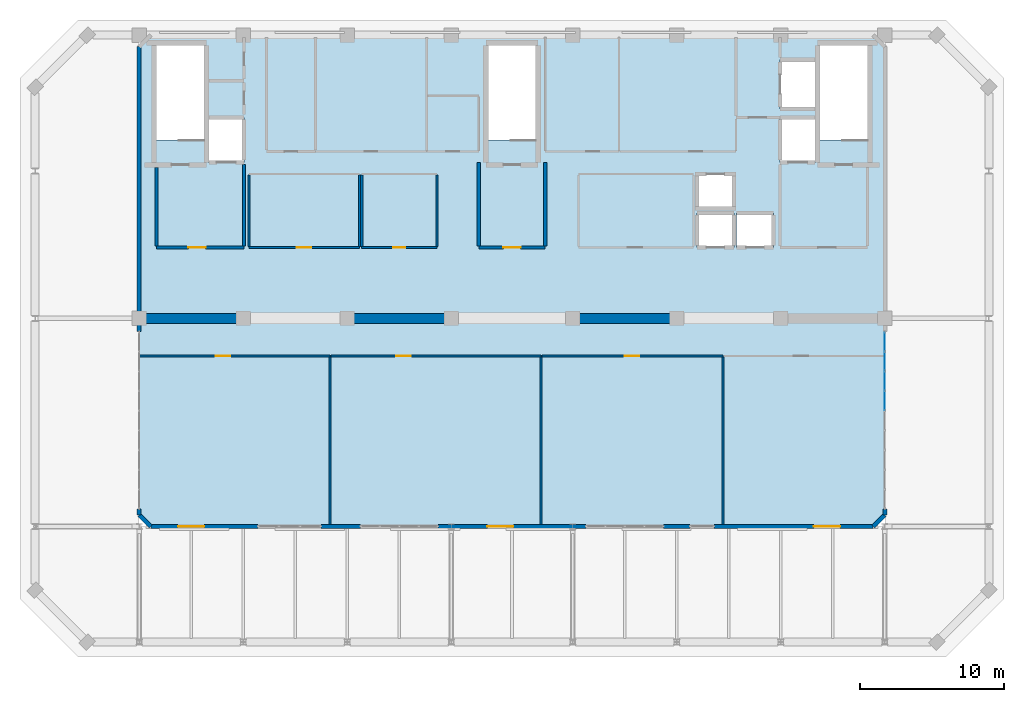
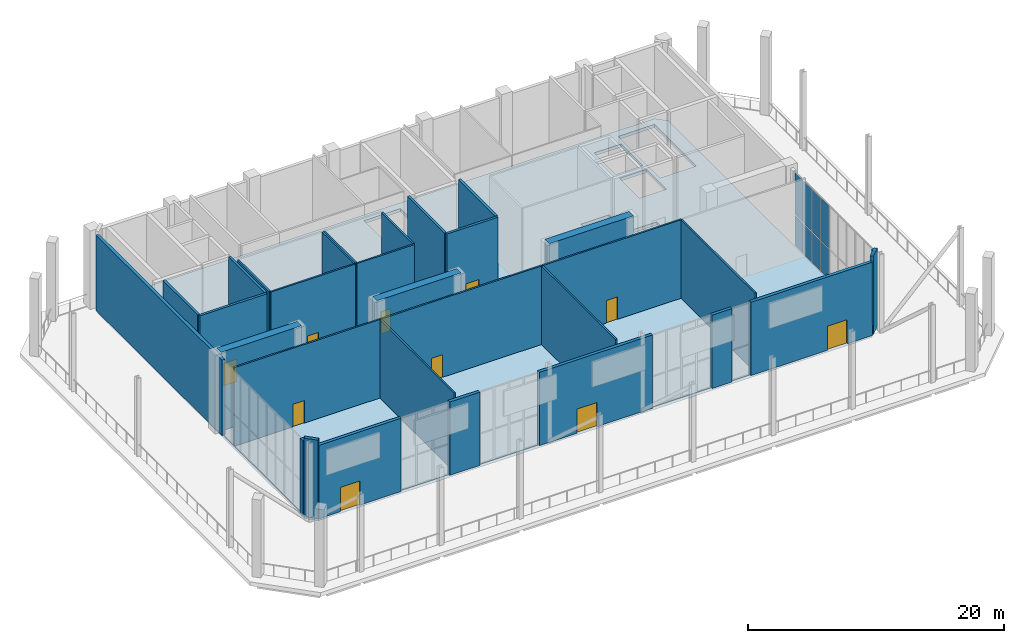
# One storey, part 20 of 23: 31 walls, 10 doors, 8 plates, 1 slab, 10 openings, 1 element without a shape of its own.
"""IFC4 building model written with IfcOpenShell, lengths in metres."""

from ifc_helpers import new_model, si_unit, direction, frame, frame_2d, origin, origin_2d, place, context, subcontext, project, spatial, polyline, rectangle, outline, extrude, material, layer, layer_set, type_object, element, fill, aggregate, save


model = new_model("IFC4")

# Units and contexts
model_context = context("Model", 3, precision=1e-05, world=origin(), true_north=direction((0.0, 1.0)))
body_context = subcontext(model_context, "Body", "Model", "MODEL_VIEW")
ifc_project = project(units=[si_unit("LENGTHUNIT", "METRE"), si_unit("AREAUNIT", "SQUARE_METRE"), si_unit("VOLUMEUNIT", "CUBIC_METRE"), si_unit("PLANEANGLEUNIT", "RADIAN"), si_unit("MASSUNIT", "GRAM", prefix="KILO")], contexts=[model_context])

# Site, building, storey
site_placement = place(None, origin())
site = spatial("IfcSite", under=ifc_project, at=site_placement, CompositionType="ELEMENT")
building_placement = place(site_placement, origin())
building = spatial("IfcBuilding", under=site, at=building_placement, Name="Kaelvorn Grand Hotel", CompositionType="ELEMENT")
storey_placement = place(building_placement, frame((0.0, 0.0, 310.699951171875)))
storey = spatial("IfcBuildingStorey", under=building, at=storey_placement, Name="L75", CompositionType="ELEMENT", Elevation=310.699951171875)

# Curtain wall, plates
ifc_material_1 = material(Name="Anodised Aluminium", Category="aluminium")
ifc_layer_1 = layer(ifc_material_1, 0.159912109375)
ifc_layer_set_1 = layer_set([ifc_layer_1], Name="Anodised Aluminium")
curtain_wall_type = type_object("IfcCurtainWallType", Name="CW-SYS6", PredefinedType="NOTDEFINED", material=ifc_layer_set_1)
curtain_wall_placement = place(storey_placement, origin())
curtain_wall = element("IfcCurtainWall", 1, at=curtain_wall_placement, inside=storey, type_object=curtain_wall_type, Name="L75 Unitised Curtain Wall CW6 (CW-L75-E-01)", PredefinedType="NOTDEFINED")
ifc_material_2 = material(Name="Laminated Low-E Glass", Category="glass")
ifc_layer_2 = layer(ifc_material_2, 0.02587890625)
ifc_layer_set_2 = layer_set([ifc_layer_2], Name="Laminated Low-E Glass")
plate_type = type_object("IfcPlateType", Name="CW-SYS6-PAN", PredefinedType="CURTAIN_PANEL", material=ifc_layer_set_2)
plate_1_placement = place(storey_placement, frame((67.800048828125, 23.704345703125, 0.1201171875), z_axis=(0.0, 0.0, 1.0), x_axis=(0.0, 1.0, 0.0)))
plate_1 = element("IfcPlate", 2, at=plate_1_placement, type_object=plate_type, Name="CW6 panel 6.1", PredefinedType="CURTAIN_PANEL", context=body_context, shape_type="SweptSolid", body=[
    extrude(rectangle(XDim=1.299560546875, YDim=0.02587890625, at=origin_2d()), origin(), (0.0, 0.0, 1.0), 2.843994140625),
])
plate_2_placement = place(storey_placement, frame((67.800048828125, 23.704345703125, 3.083984375), z_axis=(0.0, 0.0, 1.0), x_axis=(0.0, 1.0, 0.0)))
plate_2 = element("IfcPlate", 3, at=plate_2_placement, type_object=plate_type, Name="CW6 panel 6.2", PredefinedType="CURTAIN_PANEL", context=body_context, shape_type="SweptSolid", body=[
    extrude(rectangle(XDim=1.299560546875, YDim=0.02587890625, at=origin_2d()), origin(), (0.0, 0.0, 1.0), 3.99609375),
])
plate_3_placement = place(storey_placement, frame((67.800048828125, 25.06884765625, 0.1201171875), z_axis=(0.0, 0.0, 1.0), x_axis=(0.0, 1.0, 0.0)))
plate_3 = element("IfcPlate", 4, at=plate_3_placement, type_object=plate_type, Name="CW6 panel 7.1", PredefinedType="CURTAIN_PANEL", context=body_context, shape_type="SweptSolid", body=[
    extrude(rectangle(XDim=1.299560546875, YDim=0.02587890625, at=origin_2d()), origin(), (0.0, 0.0, 1.0), 2.843994140625),
])
plate_4_placement = place(storey_placement, frame((67.800048828125, 25.06884765625, 3.083984375), z_axis=(0.0, 0.0, 1.0), x_axis=(0.0, 1.0, 0.0)))
plate_4 = element("IfcPlate", 5, at=plate_4_placement, type_object=plate_type, Name="CW6 panel 7.2", PredefinedType="CURTAIN_PANEL", context=body_context, shape_type="SweptSolid", body=[
    extrude(rectangle(XDim=1.299560546875, YDim=0.02587890625, at=origin_2d()), origin(), (0.0, 0.0, 1.0), 3.99609375),
])
plate_5_placement = place(storey_placement, frame((67.800048828125, 26.433349609375, 0.1201171875), z_axis=(0.0, 0.0, 1.0), x_axis=(0.0, 1.0, 0.0)))
plate_5 = element("IfcPlate", 6, at=plate_5_placement, type_object=plate_type, Name="CW6 panel 8.1", PredefinedType="CURTAIN_PANEL", context=body_context, shape_type="SweptSolid", body=[
    extrude(rectangle(XDim=1.299560546875, YDim=0.02587890625, at=origin_2d()), origin(), (0.0, 0.0, 1.0), 2.843994140625),
])
plate_6_placement = place(storey_placement, frame((67.800048828125, 26.433349609375, 3.083984375), z_axis=(0.0, 0.0, 1.0), x_axis=(0.0, 1.0, 0.0)))
plate_6 = element("IfcPlate", 7, at=plate_6_placement, type_object=plate_type, Name="CW6 panel 8.2", PredefinedType="CURTAIN_PANEL", context=body_context, shape_type="SweptSolid", body=[
    extrude(rectangle(XDim=1.299560546875, YDim=0.02587890625, at=origin_2d()), origin(), (0.0, 0.0, 1.0), 3.99609375),
])
plate_7_placement = place(storey_placement, frame((67.800048828125, 27.781494140625, 0.1201171875), z_axis=(0.0, 0.0, 1.0), x_axis=(0.0, 1.0, 0.0)))
plate_7 = element("IfcPlate", 8, at=plate_7_placement, type_object=plate_type, Name="CW6 panel 9.1", PredefinedType="CURTAIN_PANEL", context=body_context, shape_type="SweptSolid", body=[
    extrude(rectangle(XDim=1.266845703125, YDim=0.02587890625, at=origin_2d()), origin(), (0.0, 0.0, 1.0), 2.843994140625),
])
plate_8_placement = place(storey_placement, frame((67.800048828125, 27.781494140625, 3.083984375), z_axis=(0.0, 0.0, 1.0), x_axis=(0.0, 1.0, 0.0)))
plate_8 = element("IfcPlate", 9, at=plate_8_placement, type_object=plate_type, Name="CW6 panel 9.2", PredefinedType="CURTAIN_PANEL", context=body_context, shape_type="SweptSolid", body=[
    extrude(rectangle(XDim=1.266845703125, YDim=0.02587890625, at=origin_2d()), origin(), (0.0, 0.0, 1.0), 3.99609375),
])
aggregate(curtain_wall, [plate_1, plate_2, plate_3, plate_4, plate_5, plate_6, plate_7, plate_8])

# Slab
ifc_material_3 = material(Name="Concrete C40/50", Category="concrete")
ifc_layer_3 = layer(ifc_material_3, 0.300048828125)
ifc_layer_set_3 = layer_set([ifc_layer_3], Name="Concrete C40/50")
slab_type = type_object("IfcSlabType", Name="SLB-FLR-300-C40", PredefinedType="FLOOR", material=ifc_layer_set_3)
slab_placement = place(storey_placement, frame((0.0, 0.0, -0.300048828125)))
element("IfcSlab", 10, at=slab_placement, inside=storey, type_object=slab_type, Name="L75 Observation Vestibule Floor Slab", PredefinedType="FLOOR", context=body_context, shape_type="SweptSolid", body=[
    extrude(outline(polyline([(17.0, 15.0), (67.0, 15.0), (67.800048828125, 15.800048828125), (67.800048828125, 48.199951171875), (67.0, 49.0), (17.0, 49.0), (16.199951171875, 48.199951171875), (16.199951171875, 15.800048828125), (17.0, 15.0)]), holes=[polyline([(17.39990234375, 41.760009765625), (17.39990234375, 48.300048828125), (20.679931640625, 48.300048828125), (20.679931640625, 41.760009765625), (17.39990234375, 41.760009765625)]), polyline([(40.360107421875, 41.760009765625), (40.360107421875, 48.300048828125), (43.639892578125, 48.300048828125), (43.639892578125, 41.760009765625), (40.360107421875, 41.760009765625)]), polyline([(63.320068359375, 41.760009765625), (63.320068359375, 48.300048828125), (66.60009765625, 48.300048828125), (66.60009765625, 41.760009765625), (63.320068359375, 41.760009765625)]), polyline([(54.800048828125, 34.300048828125), (54.800048828125, 36.699951171875), (57.35009765625, 36.699951171875), (57.35009765625, 34.300048828125), (54.800048828125, 34.300048828125)]), polyline([(57.550048828125, 34.300048828125), (57.550048828125, 36.699951171875), (60.10009765625, 36.699951171875), (60.10009765625, 34.300048828125), (57.550048828125, 34.300048828125)]), polyline([(54.800048828125, 37.0), (54.800048828125, 39.39990234375), (57.35009765625, 39.39990234375), (57.35009765625, 37.0), (54.800048828125, 37.0)]), polyline([(21.0, 40.199951171875), (21.0, 43.300048828125), (23.449951171875, 43.300048828125), (23.449951171875, 40.199951171875), (21.0, 40.199951171875)]), polyline([(60.550048828125, 40.199951171875), (60.550048828125, 43.300048828125), (63.0, 43.300048828125), (63.0, 40.199951171875), (60.550048828125, 40.199951171875)]), polyline([(60.550048828125, 43.89990234375), (60.550048828125, 47.300048828125), (63.0, 47.300048828125), (63.0, 43.89990234375), (60.550048828125, 43.89990234375)])]), origin(), (0.0, 0.0, 1.0), 0.300048828125),
])

# Walls
ifc_material_4 = material(Name="Concrete C50/60", Category="concrete")
ifc_layer_4 = layer(ifc_material_4, 0.699951171875)
ifc_layer_set_4 = layer_set([ifc_layer_4], Name="Concrete C50/60")
wall_type_1 = type_object("IfcWallType", Name="WL-CORE-700-C50", PredefinedType="SHEAR", material=ifc_layer_set_4)
wall_1_placement = place(storey_placement, frame((16.344970703125, 29.39990234375, 0.0), z_axis=(0.0, 0.0, 1.0), x_axis=(1.0, 0.0, 0.0)))
element("IfcWall", 11, at=wall_1_placement, inside=storey, type_object=wall_type_1, Name="L75 Rear-Core Coupled Shear Pier S1", PredefinedType="SHEAR", context=body_context, shape_type="SweptSolid", body=[
    extrude(rectangle(XDim=7.255126953125, YDim=0.699951171875, at=frame_2d((3.62744140625, 0.0))), origin(), (0.0, 0.0, 1.0), 7.5),
])
for number, where, z_axis, x_axis, name in (
    (12, (30.39990234375, 29.39990234375, 0.0), (0.0, 0.0, 1.0), (1.0, 0.0, 0.0), "L75 Rear-Core Coupled Shear Pier S2"),
    (13, (46.0, 29.39990234375, 0.0), (0.0, 0.0, 1.0), (1.0, 0.0, 0.0), "L75 Rear-Core Coupled Shear Pier S3"),
):
    element("IfcWall", number, at=place(storey_placement, frame(where, z_axis=z_axis, x_axis=x_axis)), inside=storey, type_object=wall_type_1, Name=name, PredefinedType="SHEAR", context=body_context, shape_type="SweptSolid", body=[
        extrude(rectangle(XDim=7.60009765625, YDim=0.699951171875, at=frame_2d((3.800048828125, 0.0))), origin(), (0.0, 0.0, 1.0), 7.5),
    ])

# Wall, opening, door
ifc_layer_5 = layer(ifc_material_3, 0.280029296875)
ifc_layer_set_5 = layer_set([ifc_layer_5], Name="Concrete C40/50")
wall_type_2 = type_object("IfcWallType", Name="WL-EXT-280-C40", PredefinedType="SOLIDWALL", material=ifc_layer_set_5)
wall_2_placement = place(storey_placement, frame((17.0, 15.0, 0.0), z_axis=(0.0, 0.0, 1.0), x_axis=(1.0, 0.0, 0.0)))
wall_2 = element("IfcWall", 14, at=wall_2_placement, inside=storey, type_object=wall_type_2, Name="L75 Exterior Architectural Concrete Wall 01 Pier 1", PredefinedType="SOLIDWALL", context=body_context, shape_type="SweptSolid", body=[
    extrude(rectangle(XDim=7.405029296875, YDim=0.280029296875, at=frame_2d((3.70263671875, 0.0))), origin(), (0.0, 0.0, 1.0), 7.0),
])
opening_1_placement = place(wall_2_placement, frame((1.89990234375, 0.0, 0.0)))
opening_1 = element("IfcOpeningElement", 15, at=opening_1_placement, cuts=wall_2, Name="Opening DE4", PredefinedType="OPENING", context=body_context, shape_type="SweptSolid", body=[
    extrude(rectangle(XDim=1.800048828125, YDim=2.300048828125, at=frame_2d((0.89990234375, 1.14990234375))), frame((0.0, 0.14990234375, 0.0), z_axis=(0.0, -1.0, 0.0), x_axis=(1.0, 0.0, 0.0)), (0.0, 0.0, 1.0), 0.300048828125),
])
door_type_1 = type_object("IfcDoorType", Name="DR-EXT-OBS-1800x2300", OperationType="DOUBLE_DOOR_SINGLE_SWING", PredefinedType="DOOR", material=ifc_material_1)
door_1_placement = place(opening_1_placement, origin())
door_1 = element("IfcDoor", 16, at=door_1_placement, inside=storey, type_object=door_type_1, Name="L75 Observation Deck Step-Free Exit Door DE4-01", OperationType="DOUBLE_DOOR_SINGLE_SWING", OverallHeight=2.300048828125, OverallWidth=1.800048828125, PredefinedType="DOOR", context=body_context, shape_type="SweptSolid", body=[
    extrude(rectangle(XDim=1.800048828125, YDim=2.300048828125, at=frame_2d((0.89990234375, 1.14990234375))), frame((0.0, 0.02490234375, 0.0), z_axis=(0.0, -1.0, 0.0), x_axis=(1.0, 0.0, 0.0)), (0.0, 0.0, 1.0), 0.050048828125),
])
fill(opening_1, door_1)

# Wall
wall_3_placement = place(storey_placement, frame((28.794921875, 15.0, 0.0), z_axis=(0.0, 0.0, 1.0), x_axis=(1.0, 0.0, 0.0)))
element("IfcWall", 17, at=wall_3_placement, inside=storey, type_object=wall_type_2, Name="L75 Exterior Architectural Concrete Wall 01 Pier 2", PredefinedType="SOLIDWALL", context=body_context, shape_type="SweptSolid", body=[
    extrude(rectangle(XDim=2.7099609375, YDim=0.280029296875, at=frame_2d((1.35498046875, 0.0))), origin(), (0.0, 0.0, 1.0), 7.0),
])

# Wall, opening, door
wall_4_placement = place(storey_placement, frame((36.89501953125, 15.0, 0.0), z_axis=(0.0, 0.0, 1.0), x_axis=(1.0, 0.0, 0.0)))
wall_4 = element("IfcWall", 18, at=wall_4_placement, inside=storey, type_object=wall_type_2, Name="L75 Exterior Architectural Concrete Wall 01 Pier 3", PredefinedType="SOLIDWALL", context=body_context, shape_type="SweptSolid", body=[
    extrude(rectangle(XDim=10.2099609375, YDim=0.280029296875, at=frame_2d((5.10498046875, 0.0))), origin(), (0.0, 0.0, 1.0), 7.0),
])
opening_2_placement = place(wall_4_placement, frame((3.405029296875, 0.0, 0.0)))
opening_2 = element("IfcOpeningElement", 19, at=opening_2_placement, cuts=wall_4, Name="Opening DE4", PredefinedType="OPENING", context=body_context, shape_type="SweptSolid", body=[
    extrude(rectangle(XDim=1.800048828125, YDim=2.300048828125, at=frame_2d((0.89990234375, 1.14990234375))), frame((0.0, 0.14990234375, 0.0), z_axis=(0.0, -1.0, 0.0), x_axis=(1.0, 0.0, 0.0)), (0.0, 0.0, 1.0), 0.300048828125),
])
door_2_placement = place(opening_2_placement, origin())
door_2 = element("IfcDoor", 20, at=door_2_placement, inside=storey, type_object=door_type_1, Name="L75 Observation Deck Step-Free Exit Door DE4-02", OperationType="DOUBLE_DOOR_SINGLE_SWING", OverallHeight=2.300048828125, OverallWidth=1.800048828125, PredefinedType="DOOR", context=body_context, shape_type="SweptSolid", body=[
    extrude(rectangle(XDim=1.800048828125, YDim=2.300048828125, at=frame_2d((0.89990234375, 1.14990234375))), frame((0.0, 0.02490234375, 0.0), z_axis=(0.0, -1.0, 0.0), x_axis=(1.0, 0.0, 0.0)), (0.0, 0.0, 1.0), 0.050048828125),
])
fill(opening_2, door_2)

# Wall
wall_5_placement = place(storey_placement, frame((52.4951171875, 15.0, 0.0), z_axis=(0.0, 0.0, 1.0), x_axis=(1.0, 0.0, 0.0)))
element("IfcWall", 21, at=wall_5_placement, inside=storey, type_object=wall_type_2, Name="L75 Exterior Architectural Concrete Wall 01 Pier 4", PredefinedType="SOLIDWALL", context=body_context, shape_type="SweptSolid", body=[
    extrude(rectangle(XDim=1.809814453125, YDim=0.280029296875, at=frame_2d((0.90478515625, 0.0))), origin(), (0.0, 0.0, 1.0), 7.0),
])

# Wall, opening, door
wall_6_placement = place(storey_placement, frame((55.9951171875, 15.0, 0.0), z_axis=(0.0, 0.0, 1.0), x_axis=(1.0, 0.0, 0.0)))
wall_6 = element("IfcWall", 22, at=wall_6_placement, inside=storey, type_object=wall_type_2, Name="L75 Exterior Architectural Concrete Wall 01 Pier 5", PredefinedType="SOLIDWALL", context=body_context, shape_type="SweptSolid", body=[
    extrude(rectangle(XDim=11.0048828125, YDim=0.280029296875, at=frame_2d((5.50244140625, 0.0))), origin(), (0.0, 0.0, 1.0), 7.0),
])
opening_3_placement = place(wall_6_placement, frame((6.905029296875, 0.0, 0.0)))
opening_3 = element("IfcOpeningElement", 23, at=opening_3_placement, cuts=wall_6, Name="Opening DE4", PredefinedType="OPENING", context=body_context, shape_type="SweptSolid", body=[
    extrude(rectangle(XDim=1.800048828125, YDim=2.300048828125, at=frame_2d((0.89990234375, 1.14990234375))), frame((0.0, 0.14990234375, 0.0), z_axis=(0.0, -1.0, 0.0), x_axis=(1.0, 0.0, 0.0)), (0.0, 0.0, 1.0), 0.300048828125),
])
door_3_placement = place(opening_3_placement, origin())
door_3 = element("IfcDoor", 24, at=door_3_placement, inside=storey, type_object=door_type_1, Name="L75 Observation Deck Step-Free Exit Door DE4-03", OperationType="DOUBLE_DOOR_SINGLE_SWING", OverallHeight=2.300048828125, OverallWidth=1.800048828125, PredefinedType="DOOR", context=body_context, shape_type="SweptSolid", body=[
    extrude(rectangle(XDim=1.800048828125, YDim=2.300048828125, at=frame_2d((0.89990234375, 1.14990234375))), frame((0.0, 0.02490234375, 0.0), z_axis=(0.0, -1.0, 0.0), x_axis=(1.0, 0.0, 0.0)), (0.0, 0.0, 1.0), 0.050048828125),
])
fill(opening_3, door_3)

# Walls
wall_7_placement = place(storey_placement, frame((67.0, 15.0, 0.0), z_axis=(0.0, 0.0, 1.0), x_axis=(0.707106781187, 0.707106781187, 0.0)))
element("IfcWall", 25, at=wall_7_placement, inside=storey, type_object=wall_type_2, Name="L75 Exterior Architectural Concrete Wall 02", PredefinedType="SOLIDWALL", context=body_context, shape_type="SweptSolid", body=[
    extrude(rectangle(XDim=1.13134765625, YDim=0.280029296875, at=frame_2d((0.565673828125, 0.0))), origin(), (0.0, 0.0, 1.0), 7.5),
])
wall_8_placement = place(storey_placement, frame((67.800048828125, 15.800048828125, 0.0), z_axis=(0.0, 0.0, 1.0), x_axis=(0.0, 1.0, 0.0)))
element("IfcWall", 26, at=wall_8_placement, inside=storey, type_object=wall_type_2, Name="L75 Exterior Architectural Concrete Wall 03 Pier 1", PredefinedType="SOLIDWALL", context=body_context, shape_type="SweptSolid", body=[
    extrude(rectangle(XDim=0.405029296875, YDim=0.280029296875, at=frame_2d((0.20263671875, 0.0))), origin(), (0.0, 0.0, 1.0), 7.199951171875),
])
wall_9_placement = place(storey_placement, frame((16.199951171875, 48.199951171875, 0.0), z_axis=(0.0, 0.0, 1.0), x_axis=(0.0, -1.0, 0.0)))
element("IfcWall", 27, at=wall_9_placement, inside=storey, type_object=wall_type_2, Name="L75 Exterior Architectural Concrete Wall 07 Pier 1", PredefinedType="SOLIDWALL", context=body_context, shape_type="SweptSolid", body=[
    extrude(rectangle(XDim=19.724853515625, YDim=0.280029296875, at=frame_2d((9.8623046875, 0.0))), origin(), (0.0, 0.0, 1.0), 7.199951171875),
])
wall_10_placement = place(storey_placement, frame((16.199951171875, 16.205078125, 0.0), z_axis=(0.0, 0.0, 1.0), x_axis=(0.0, -1.0, 0.0)))
element("IfcWall", 28, at=wall_10_placement, inside=storey, type_object=wall_type_2, Name="L75 Exterior Architectural Concrete Wall 07 Pier 2", PredefinedType="SOLIDWALL", context=body_context, shape_type="SweptSolid", body=[
    extrude(rectangle(XDim=0.405029296875, YDim=0.280029296875, at=frame_2d((0.20263671875, 0.0))), origin(), (0.0, 0.0, 1.0), 7.199951171875),
])
wall_11_placement = place(storey_placement, frame((16.199951171875, 15.800048828125, 0.0), z_axis=(0.0, 0.0, 1.0), x_axis=(0.707106781187, -0.707106781187, 0.0)))
element("IfcWall", 29, at=wall_11_placement, inside=storey, type_object=wall_type_2, Name="L75 Exterior Architectural Concrete Wall 08", PredefinedType="SOLIDWALL", context=body_context, shape_type="SweptSolid", body=[
    extrude(rectangle(XDim=1.13134765625, YDim=0.280029296875, at=frame_2d((0.565673828125, 0.0))), origin(), (0.0, 0.0, 1.0), 7.5),
])

# Wall, opening, door
ifc_material_5 = material(Name="Acoustic Gypsum & Stud Partition")
ifc_layer_6 = layer(ifc_material_5, 0.14990234375)
ifc_layer_set_6 = layer_set([ifc_layer_6], Name="Acoustic Gypsum & Stud Partition")
wall_type_3 = type_object("IfcWallType", Name="WL-PART-150-EI60", PredefinedType="PARTITIONING", material=ifc_layer_set_6)
wall_12_placement = place(storey_placement, frame((31.60009765625, 34.300048828125, 0.0), z_axis=(0.0, 0.0, 1.0), x_axis=(1.0, 0.0, 0.0)))
wall_12 = element("IfcWall", 30, at=wall_12_placement, inside=storey, type_object=wall_type_3, Name="L75 Core Telecoms & BMS Server Room S Partition", PredefinedType="PARTITIONING", context=body_context, shape_type="SweptSolid", body=[
    extrude(rectangle(XDim=5.199951171875, YDim=0.14990234375, at=frame_2d((2.60009765625, 0.0))), origin(), (0.0, 0.0, 1.0), 7.5),
])
opening_4_placement = place(wall_12_placement, frame((2.175048828125, 0.0, 0.0)))
opening_4 = element("IfcOpeningElement", 31, at=opening_4_placement, cuts=wall_12, Name="Opening DI7", PredefinedType="OPENING", context=body_context, shape_type="SweptSolid", body=[
    extrude(rectangle(XDim=0.85009765625, YDim=2.10009765625, at=frame_2d((0.425048828125, 1.050048828125))), frame((0.0, 0.0849609375, 0.0), z_axis=(0.0, -1.0, 0.0), x_axis=(1.0, 0.0, 0.0)), (0.0, 0.0, 1.0), 0.169921875),
])
ifc_material_6 = material(Name="Powder-Coated Steel Leaf", Category="steel")
door_type_2 = type_object("IfcDoorType", Name="DR-INT-RISER-850x2100", OperationType="NOTDEFINED", PredefinedType="DOOR", material=ifc_material_6)
door_4_placement = place(opening_4_placement, origin())
door_4 = element("IfcDoor", 32, at=door_4_placement, inside=storey, type_object=door_type_2, Name="L75 Core Telecoms & BMS Server Room Door", OperationType="SINGLE_SWING_LEFT", OverallHeight=2.10009765625, OverallWidth=0.85009765625, PredefinedType="DOOR", context=body_context, shape_type="SweptSolid", body=[
    extrude(rectangle(XDim=0.85009765625, YDim=2.10009765625, at=frame_2d((0.425048828125, 1.050048828125))), frame((0.0, 0.02490234375, 0.0), z_axis=(0.0, -1.0, 0.0), x_axis=(1.0, 0.0, 0.0)), (0.0, 0.0, 1.0), 0.050048828125),
])
fill(opening_4, door_4)

# Walls
for number, where, z_axis, x_axis, name in (
    (33, (31.60009765625, 34.3798828125, 0.0), (0.0, 0.0, 1.0), (0.0, 1.0, 0.0), "L75 Core Telecoms & BMS Server Room W Partition"),
    (34, (36.800048828125, 34.3798828125, 0.0), (0.0, 0.0, 1.0), (0.0, 1.0, 0.0), "L75 Core Telecoms & BMS Server Room E Partition"),
):
    element("IfcWall", number, at=place(storey_placement, frame(where, z_axis=z_axis, x_axis=x_axis)), inside=storey, type_object=wall_type_3, Name=name, PredefinedType="PARTITIONING", context=body_context, shape_type="SweptSolid", body=[
        extrude(rectangle(XDim=4.940185546875, YDim=0.14990234375, at=frame_2d((2.47021484375, 0.0))), origin(), (0.0, 0.0, 1.0), 7.5),
    ])

# Wall, opening, door
wall_13_placement = place(storey_placement, frame((23.800048828125, 34.300048828125, 0.0), z_axis=(0.0, 0.0, 1.0), x_axis=(1.0, 0.0, 0.0)))
wall_13 = element("IfcWall", 35, at=wall_13_placement, inside=storey, type_object=wall_type_3, Name="L75 Crown Sommelier & Tasting Salon S Partition", PredefinedType="PARTITIONING", context=body_context, shape_type="SweptSolid", body=[
    extrude(rectangle(XDim=7.64990234375, YDim=0.14990234375, at=frame_2d((3.824951171875, 0.0))), origin(), (0.0, 0.0, 1.0), 7.5),
])
opening_5_placement = place(wall_13_placement, frame((3.300048828125, 0.0, 0.0)))
opening_5 = element("IfcOpeningElement", 36, at=opening_5_placement, cuts=wall_13, Name="Opening DI3", PredefinedType="OPENING", context=body_context, shape_type="SweptSolid", body=[
    extrude(rectangle(XDim=1.0, YDim=2.14990234375, at=frame_2d((0.5, 1.074951171875))), frame((0.0, 0.0849609375, 0.0), z_axis=(0.0, -1.0, 0.0), x_axis=(1.0, 0.0, 0.0)), (0.0, 0.0, 1.0), 0.169921875),
])
ifc_material_7 = material(Name="Timber Veneer Fire Leaf", Category="wood")
door_type_3 = type_object("IfcDoorType", Name="DR-INT-GUEST-1000x2150", OperationType="NOTDEFINED", PredefinedType="DOOR", material=ifc_material_7)
door_5_placement = place(opening_5_placement, origin())
door_5 = element("IfcDoor", 37, at=door_5_placement, inside=storey, type_object=door_type_3, Name="L75 Crown Sommelier & Tasting Salon Door", OperationType="SINGLE_SWING_RIGHT", OverallHeight=2.14990234375, OverallWidth=1.0, PredefinedType="DOOR", context=body_context, shape_type="SweptSolid", body=[
    extrude(rectangle(XDim=1.0, YDim=2.14990234375, at=frame_2d((0.5, 1.074951171875))), frame((0.0, 0.02490234375, 0.0), z_axis=(0.0, -1.0, 0.0), x_axis=(1.0, 0.0, 0.0)), (0.0, 0.0, 1.0), 0.050048828125),
])
fill(opening_5, door_5)

# Walls
for number, where, z_axis, x_axis, name in (
    (38, (23.800048828125, 34.3798828125, 0.0), (0.0, 0.0, 1.0), (0.0, 1.0, 0.0), "L75 Crown Sommelier & Tasting Salon W Partition"),
    (39, (31.449951171875, 34.3798828125, 0.0), (0.0, 0.0, 1.0), (0.0, 1.0, 0.0), "L75 Crown Sommelier & Tasting Salon E Partition"),
):
    element("IfcWall", number, at=place(storey_placement, frame(where, z_axis=z_axis, x_axis=x_axis)), inside=storey, type_object=wall_type_3, Name=name, PredefinedType="PARTITIONING", context=body_context, shape_type="SweptSolid", body=[
        extrude(rectangle(XDim=4.940185546875, YDim=0.14990234375, at=frame_2d((2.47021484375, 0.0))), origin(), (0.0, 0.0, 1.0), 7.5),
    ])

# Wall, opening, door
wall_14_placement = place(storey_placement, frame((16.199951171875, 26.800048828125, 0.0), z_axis=(0.0, 0.0, 1.0), x_axis=(1.0, 0.0, 0.0)))
wall_14 = element("IfcWall", 40, at=wall_14_placement, inside=storey, type_object=wall_type_3, Name="L75 Sky Lookout Espresso & Patisserie Cafe N Partition", PredefinedType="PARTITIONING", context=body_context, shape_type="SweptSolid", body=[
    extrude(rectangle(XDim=13.199951171875, YDim=0.14990234375, at=frame_2d((6.60009765625, 0.0))), origin(), (0.0, 0.0, 1.0), 7.5),
])
opening_6_placement = place(wall_14_placement, frame((5.300048828125, 0.0, 0.0)))
opening_6 = element("IfcOpeningElement", 41, at=opening_6_placement, cuts=wall_14, Name="Opening DI3", PredefinedType="OPENING", context=body_context, shape_type="SweptSolid", body=[
    extrude(rectangle(XDim=1.0, YDim=2.14990234375, at=frame_2d((0.5, 1.074951171875))), frame((0.0, 0.0849609375, 0.0), z_axis=(0.0, -1.0, 0.0), x_axis=(1.0, 0.0, 0.0)), (0.0, 0.0, 1.0), 0.169921875),
])
door_6_placement = place(opening_6_placement, origin())
door_6 = element("IfcDoor", 42, at=door_6_placement, inside=storey, type_object=door_type_3, Name="L75 Sky Lookout Espresso & Patisserie Cafe Door", OperationType="SINGLE_SWING_LEFT", OverallHeight=2.14990234375, OverallWidth=1.0, PredefinedType="DOOR", context=body_context, shape_type="SweptSolid", body=[
    extrude(rectangle(XDim=1.0, YDim=2.14990234375, at=frame_2d((0.5, 1.074951171875))), frame((0.0, 0.02490234375, 0.0), z_axis=(0.0, -1.0, 0.0), x_axis=(1.0, 0.0, 0.0)), (0.0, 0.0, 1.0), 0.050048828125),
])
fill(opening_6, door_6)

# Wall
wall_15_placement = place(storey_placement, frame((29.39990234375, 15.14990234375, 0.0), z_axis=(0.0, 0.0, 1.0), x_axis=(0.0, 1.0, 0.0)))
element("IfcWall", 43, at=wall_15_placement, inside=storey, type_object=wall_type_3, Name="L75 Sky Lookout Espresso & Patisserie Cafe E Partition", PredefinedType="PARTITIONING", context=body_context, shape_type="SweptSolid", body=[
    extrude(rectangle(XDim=11.570068359375, YDim=0.14990234375, at=frame_2d((5.78515625, 0.0))), origin(), (0.0, 0.0, 1.0), 7.5),
])

# Wall, opening, door
wall_16_placement = place(storey_placement, frame((29.47998046875, 26.800048828125, 0.0), z_axis=(0.0, 0.0, 1.0), x_axis=(1.0, 0.0, 0.0)))
wall_16 = element("IfcWall", 44, at=wall_16_placement, inside=storey, type_object=wall_type_3, Name="L75 Indoor Panorama Horizon Salon N Partition", PredefinedType="PARTITIONING", context=body_context, shape_type="SweptSolid", body=[
    extrude(rectangle(XDim=14.52001953125, YDim=0.14990234375, at=frame_2d((7.260009765625, 0.0))), origin(), (0.0, 0.0, 1.0), 7.5),
])
opening_7_placement = place(wall_16_placement, frame((4.52001953125, 0.0, 0.0)))
opening_7 = element("IfcOpeningElement", 45, at=opening_7_placement, cuts=wall_16, Name="Opening DI3", PredefinedType="OPENING", context=body_context, shape_type="SweptSolid", body=[
    extrude(rectangle(XDim=1.0, YDim=2.14990234375, at=frame_2d((0.5, 1.074951171875))), frame((0.0, 0.0849609375, 0.0), z_axis=(0.0, -1.0, 0.0), x_axis=(1.0, 0.0, 0.0)), (0.0, 0.0, 1.0), 0.169921875),
])
door_7_placement = place(opening_7_placement, origin())
door_7 = element("IfcDoor", 46, at=door_7_placement, inside=storey, type_object=door_type_3, Name="L75 Indoor Panorama Horizon Salon Door", OperationType="SINGLE_SWING_RIGHT", OverallHeight=2.14990234375, OverallWidth=1.0, PredefinedType="DOOR", context=body_context, shape_type="SweptSolid", body=[
    extrude(rectangle(XDim=1.0, YDim=2.14990234375, at=frame_2d((0.5, 1.074951171875))), frame((0.0, 0.02490234375, 0.0), z_axis=(0.0, -1.0, 0.0), x_axis=(1.0, 0.0, 0.0)), (0.0, 0.0, 1.0), 0.050048828125),
])
fill(opening_7, door_7)

# Wall
wall_17_placement = place(storey_placement, frame((44.0, 15.14990234375, 0.0), z_axis=(0.0, 0.0, 1.0), x_axis=(0.0, 1.0, 0.0)))
element("IfcWall", 47, at=wall_17_placement, inside=storey, type_object=wall_type_3, Name="L75 Indoor Panorama Horizon Salon E Partition", PredefinedType="PARTITIONING", context=body_context, shape_type="SweptSolid", body=[
    extrude(rectangle(XDim=11.570068359375, YDim=0.14990234375, at=frame_2d((5.78515625, 0.0))), origin(), (0.0, 0.0, 1.0), 7.5),
])

# Wall, opening, door
wall_18_placement = place(storey_placement, frame((44.080078125, 26.800048828125, 0.0), z_axis=(0.0, 0.0, 1.0), x_axis=(1.0, 0.0, 0.0)))
wall_18 = element("IfcWall", 48, at=wall_18_placement, inside=storey, type_object=wall_type_3, Name="L75 Lookout Souvenir & Exhibition Boutique N Partition", PredefinedType="PARTITIONING", context=body_context, shape_type="SweptSolid", body=[
    extrude(rectangle(XDim=12.52001953125, YDim=0.14990234375, at=frame_2d((6.260009765625, 0.0))), origin(), (0.0, 0.0, 1.0), 7.5),
])
opening_8_placement = place(wall_18_placement, frame((5.719970703125, 0.0, 0.0)))
opening_8 = element("IfcOpeningElement", 49, at=opening_8_placement, cuts=wall_18, Name="Opening DI3", PredefinedType="OPENING", context=body_context, shape_type="SweptSolid", body=[
    extrude(rectangle(XDim=1.0, YDim=2.14990234375, at=frame_2d((0.5, 1.074951171875))), frame((0.0, 0.0849609375, 0.0), z_axis=(0.0, -1.0, 0.0), x_axis=(1.0, 0.0, 0.0)), (0.0, 0.0, 1.0), 0.169921875),
])
door_8_placement = place(opening_8_placement, origin())
door_8 = element("IfcDoor", 50, at=door_8_placement, inside=storey, type_object=door_type_3, Name="L75 Lookout Souvenir & Exhibition Boutique Door", OperationType="SINGLE_SWING_LEFT", OverallHeight=2.14990234375, OverallWidth=1.0, PredefinedType="DOOR", context=body_context, shape_type="SweptSolid", body=[
    extrude(rectangle(XDim=1.0, YDim=2.14990234375, at=frame_2d((0.5, 1.074951171875))), frame((0.0, 0.02490234375, 0.0), z_axis=(0.0, -1.0, 0.0), x_axis=(1.0, 0.0, 0.0)), (0.0, 0.0, 1.0), 0.050048828125),
])
fill(opening_8, door_8)

# Wall
wall_19_placement = place(storey_placement, frame((56.60009765625, 15.14990234375, 0.0), z_axis=(0.0, 0.0, 1.0), x_axis=(0.0, 1.0, 0.0)))
element("IfcWall", 51, at=wall_19_placement, inside=storey, type_object=wall_type_3, Name="L75 Lookout Souvenir & Exhibition Boutique E Partition", PredefinedType="PARTITIONING", context=body_context, shape_type="SweptSolid", body=[
    extrude(rectangle(XDim=11.570068359375, YDim=0.14990234375, at=frame_2d((5.78515625, 0.0))), origin(), (0.0, 0.0, 1.0), 7.5),
])

# Wall, opening, door
ifc_layer_7 = layer(ifc_material_3, 0.219970703125)
ifc_layer_set_7 = layer_set([ifc_layer_7], Name="Concrete C40/50")
wall_type_4 = type_object("IfcWallType", Name="WL-PART-220-EI120", PredefinedType="PARTITIONING", material=ifc_layer_set_7)
wall_20_placement = place(storey_placement, frame((17.39990234375, 34.300048828125, 0.0), z_axis=(0.0, 0.0, 1.0), x_axis=(1.0, 0.0, 0.0)))
wall_20 = element("IfcWall", 52, at=wall_20_placement, inside=storey, type_object=wall_type_4, Name="L75 Firefighting Lift Lobby 1 S Partition", PredefinedType="PARTITIONING", context=body_context, shape_type="SweptSolid", body=[
    extrude(rectangle(XDim=6.050048828125, YDim=0.219970703125, at=frame_2d((3.02490234375, 0.0))), origin(), (0.0, 0.0, 1.0), 7.5),
])
opening_9_placement = place(wall_20_placement, frame((2.199951171875, 0.0, 0.0)))
opening_9 = element("IfcOpeningElement", 53, at=opening_9_placement, cuts=wall_20, Name="Opening DI2", PredefinedType="OPENING", context=body_context, shape_type="SweptSolid", body=[
    extrude(rectangle(XDim=1.199951171875, YDim=2.14990234375, at=frame_2d((0.60009765625, 1.074951171875))), frame((0.0, 0.1201171875, 0.0), z_axis=(0.0, -1.0, 0.0), x_axis=(1.0, 0.0, 0.0)), (0.0, 0.0, 1.0), 0.239990234375),
])
door_type_4 = type_object("IfcDoorType", Name="DR-INT-FFLOB-1200x2150", OperationType="NOTDEFINED", PredefinedType="DOOR", material=ifc_material_7)
door_9_placement = place(opening_9_placement, origin())
door_9 = element("IfcDoor", 54, at=door_9_placement, inside=storey, type_object=door_type_4, Name="L75 Firefighting Lift Lobby 1 Door", OperationType="SINGLE_SWING_LEFT", OverallHeight=2.14990234375, OverallWidth=1.199951171875, PredefinedType="DOOR", context=body_context, shape_type="SweptSolid", body=[
    extrude(rectangle(XDim=1.199951171875, YDim=2.14990234375, at=frame_2d((0.60009765625, 1.074951171875))), frame((0.0, 0.02490234375, 0.0), z_axis=(0.0, -1.0, 0.0), x_axis=(1.0, 0.0, 0.0)), (0.0, 0.0, 1.0), 0.050048828125),
])
fill(opening_9, door_9)

# Walls
wall_21_placement = place(storey_placement, frame((17.39990234375, 34.4150390625, 0.0), z_axis=(0.0, 0.0, 1.0), x_axis=(0.0, 1.0, 0.0)))
element("IfcWall", 55, at=wall_21_placement, inside=storey, type_object=wall_type_4, Name="L75 Firefighting Lift Lobby 1 W Partition", PredefinedType="PARTITIONING", context=body_context, shape_type="SweptSolid", body=[
    extrude(rectangle(XDim=5.429931640625, YDim=0.219970703125, at=frame_2d((2.71484375, 0.0))), origin(), (0.0, 0.0, 1.0), 7.5),
])
wall_22_placement = place(storey_placement, frame((23.449951171875, 34.4150390625, 0.0), z_axis=(0.0, 0.0, 1.0), x_axis=(0.0, 1.0, 0.0)))
element("IfcWall", 56, at=wall_22_placement, inside=storey, type_object=wall_type_4, Name="L75 Firefighting Lift Lobby 1 E Partition", PredefinedType="PARTITIONING", context=body_context, shape_type="SweptSolid", body=[
    extrude(rectangle(XDim=5.639892578125, YDim=0.219970703125, at=frame_2d((2.81982421875, 0.0))), origin(), (0.0, 0.0, 1.0), 7.5),
])

# Wall, opening, door
wall_23_placement = place(storey_placement, frame((39.699951171875, 34.300048828125, 0.0), z_axis=(0.0, 0.0, 1.0), x_axis=(1.0, 0.0, 0.0)))
wall_23 = element("IfcWall", 57, at=wall_23_placement, inside=storey, type_object=wall_type_4, Name="L75 Central Stair Escape Vestibule S Partition", PredefinedType="PARTITIONING", context=body_context, shape_type="SweptSolid", body=[
    extrude(rectangle(XDim=4.60009765625, YDim=0.219970703125, at=frame_2d((2.300048828125, 0.0))), origin(), (0.0, 0.0, 1.0), 7.5),
])
opening_10_placement = place(wall_23_placement, frame((1.699951171875, 0.0, 0.0)))
opening_10 = element("IfcOpeningElement", 58, at=opening_10_placement, cuts=wall_23, Name="Opening DI2", PredefinedType="OPENING", context=body_context, shape_type="SweptSolid", body=[
    extrude(rectangle(XDim=1.199951171875, YDim=2.14990234375, at=frame_2d((0.60009765625, 1.074951171875))), frame((0.0, 0.1201171875, 0.0), z_axis=(0.0, -1.0, 0.0), x_axis=(1.0, 0.0, 0.0)), (0.0, 0.0, 1.0), 0.239990234375),
])
door_10_placement = place(opening_10_placement, origin())
door_10 = element("IfcDoor", 59, at=door_10_placement, inside=storey, type_object=door_type_4, Name="L75 Central Stair Escape Vestibule Door", OperationType="SINGLE_SWING_LEFT", OverallHeight=2.14990234375, OverallWidth=1.199951171875, PredefinedType="DOOR", context=body_context, shape_type="SweptSolid", body=[
    extrude(rectangle(XDim=1.199951171875, YDim=2.14990234375, at=frame_2d((0.60009765625, 1.074951171875))), frame((0.0, 0.02490234375, 0.0), z_axis=(0.0, -1.0, 0.0), x_axis=(1.0, 0.0, 0.0)), (0.0, 0.0, 1.0), 0.050048828125),
])
fill(opening_10, door_10)

# Walls
for number, where, z_axis, x_axis, name in (
    (60, (39.699951171875, 34.4150390625, 0.0), (0.0, 0.0, 1.0), (0.0, 1.0, 0.0), "L75 Central Stair Escape Vestibule W Partition"),
    (61, (44.300048828125, 34.4150390625, 0.0), (0.0, 0.0, 1.0), (0.0, 1.0, 0.0), "L75 Central Stair Escape Vestibule E Partition"),
):
    element("IfcWall", number, at=place(storey_placement, frame(where, z_axis=z_axis, x_axis=x_axis)), inside=storey, type_object=wall_type_4, Name=name, PredefinedType="PARTITIONING", context=body_context, shape_type="SweptSolid", body=[
        extrude(rectangle(XDim=5.784912109375, YDim=0.219970703125, at=frame_2d((2.892578125, 0.0))), origin(), (0.0, 0.0, 1.0), 7.5),
    ])

save(model, "model.ifc")
